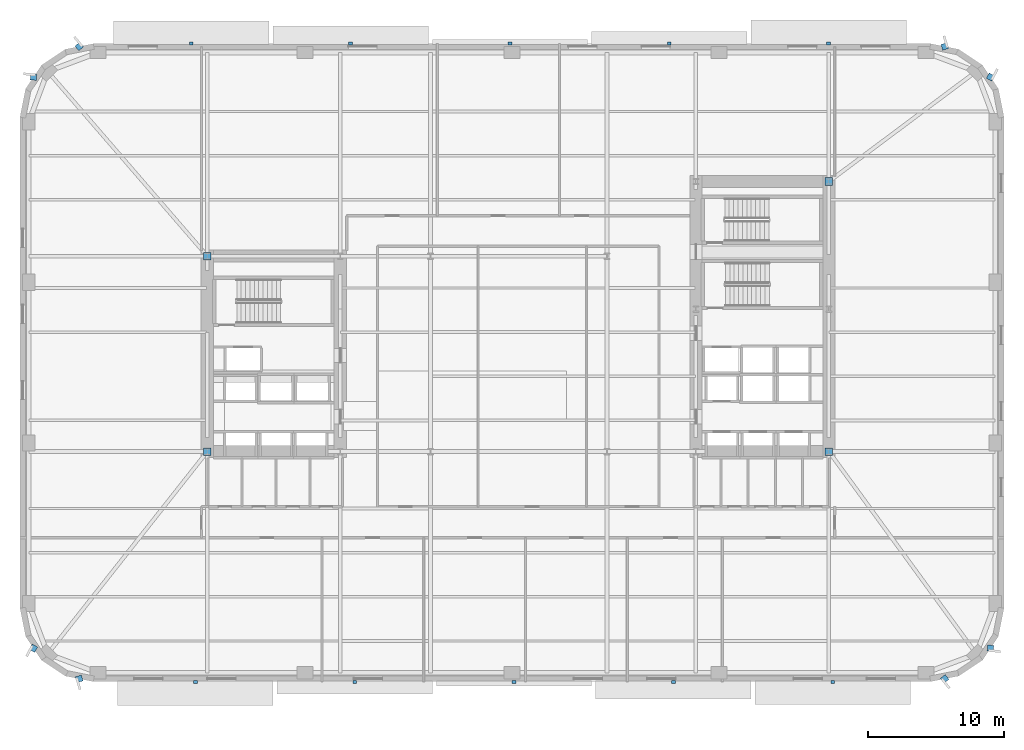
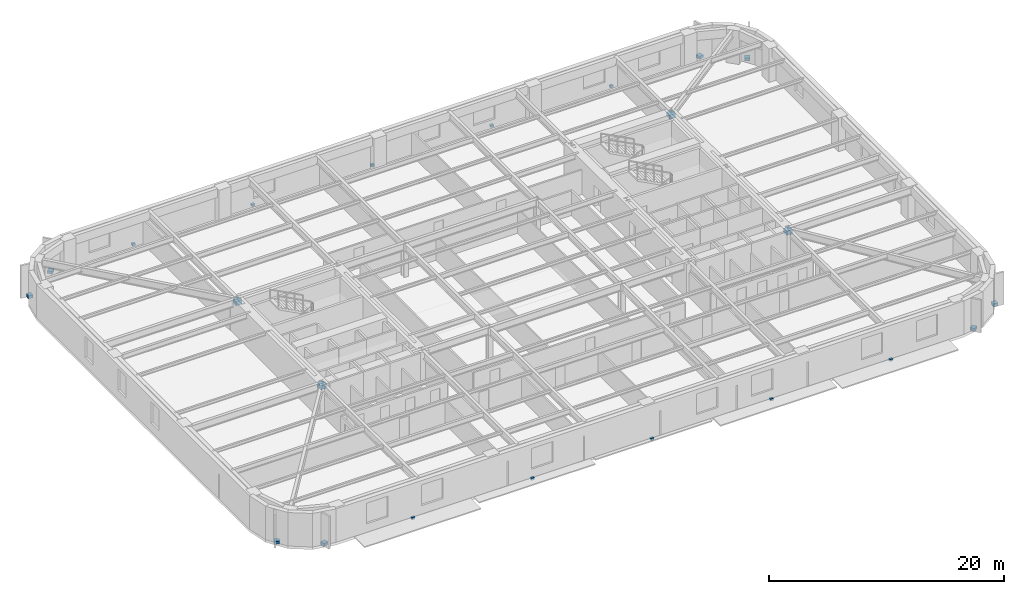
# One storey, part 8 of 15: 22 discrete accessories.
"""IFC4 building model written with IfcOpenShell, lengths in metres."""

from ifc_helpers import new_model, si_unit, direction, frame, origin, origin_2d, place, context, subcontext, project, spatial, rectangle, extrude, material, type_object, element, save


model = new_model("IFC4")

# Units and contexts
model_context = context("Model", 3, precision=1e-05, world=origin(), true_north=direction((0.0, 1.0)))
body_context = subcontext(model_context, "Body", "Model", "MODEL_VIEW")
ifc_project = project(units=[si_unit("LENGTHUNIT", "METRE"), si_unit("AREAUNIT", "SQUARE_METRE"), si_unit("VOLUMEUNIT", "CUBIC_METRE"), si_unit("PLANEANGLEUNIT", "RADIAN"), si_unit("MASSUNIT", "GRAM", prefix="KILO")], contexts=[model_context])

# Site, building, storey
site_placement = place(None, origin())
site = spatial("IfcSite", under=ifc_project, at=site_placement, CompositionType="ELEMENT")
building_placement = place(site_placement, origin())
building = spatial("IfcBuilding", under=site, at=building_placement, Name="Kolvaren Arena Tower", CompositionType="ELEMENT")
storey_placement = place(building_placement, frame((0.0, 0.0, 72.0)))
storey = spatial("IfcBuildingStorey", under=building, at=storey_placement, Name="L15", CompositionType="ELEMENT", Elevation=72.0)

# Discrete accessories
ifc_material_1 = material(Name="Stainless steel facade support bracket", Category="steel")
discrete_accessory_type_1 = type_object("IfcDiscreteAccessoryType", Name="ACC-BRKT-1", PredefinedType="BRACKET", material=ifc_material_1)
for number, where, z_axis, x_axis, name in (
    (1, (68.88330078125, 2.70556640625, 0.02001953125), (0.0, 0.0, 1.0), (0.632722898811, -0.774378288254, 0.0), "Corner Fin Anchor Bracket (L15)"),
    (2, (72.253662109375, 4.95751953125, 0.02001953125), (0.0, 0.0, 1.0), (0.994971840066, -0.100155067151, 0.0), "Corner Fin Anchor Bracket (L15)"),
    (3, (72.253662109375, 47.04248046875, 0.02001953125), (0.0, 0.0, 1.0), (0.473348878368, 0.880875041846, 0.0), "Corner Fin Anchor Bracket (L15)"),
    (4, (68.88330078125, 49.29443359375, 0.02001953125), (0.0, 0.0, 1.0), (-0.288174541455, 0.957577899524, 0.0), "Corner Fin Anchor Bracket (L15)"),
):
    element("IfcDiscreteAccessory", number, at=place(storey_placement, frame(where, z_axis=z_axis, x_axis=x_axis)), inside=storey, type_object=discrete_accessory_type_1, Name=name, PredefinedType="BRACKET", context=body_context, shape_type="SweptSolid", body=[
        extrude(rectangle(XDim=0.449951171875, YDim=0.449951171875, at=origin_2d()), origin(), (0.0, 0.0, 1.0), 0.300048828125),
    ])
for number, where, z_axis, x_axis, name in (
    (5, (13.3701171875, 49.52001953125, -0.18017578125), (0.0, 0.0, 1.0), (1.0, 0.0, 0.0), "Sunshade Support Bracket (L15)"),
    (6, (25.110107421875, 49.52001953125, -0.18017578125), (0.0, 0.0, 1.0), (1.0, 0.0, 0.0), "Sunshade Support Bracket (L15)"),
    (7, (36.85009765625, 49.52001953125, -0.18017578125), (0.0, 0.0, 1.0), (1.0, 0.0, 0.0), "Sunshade Support Bracket (L15)"),
    (8, (48.590087890625, 49.52001953125, -0.18017578125), (0.0, 0.0, 1.0), (1.0, 0.0, 0.0), "Sunshade Support Bracket (L15)"),
    (9, (60.330078125, 49.52001953125, -0.18017578125), (0.0, 0.0, 1.0), (1.0, 0.0, 0.0), "Sunshade Support Bracket (L15)"),
):
    element("IfcDiscreteAccessory", number, at=place(storey_placement, frame(where, z_axis=z_axis, x_axis=x_axis)), inside=storey, type_object=discrete_accessory_type_1, Name=name, PredefinedType="BRACKET", context=body_context, shape_type="SweptSolid", body=[
        extrude(rectangle(XDim=0.280029296875, YDim=0.239990234375, at=origin_2d()), origin(), (0.0, 0.0, 1.0), 0.239990234375),
    ])
for number, where, z_axis, x_axis, name in (
    (10, (5.11669921875, 49.29443359375, 0.02001953125), (0.0, 0.0, 1.0), (-0.632722898811, 0.774378288254, 0.0), "Corner Fin Anchor Bracket (L15)"),
    (11, (1.746337890625, 47.04248046875, 0.02001953125), (0.0, 0.0, 1.0), (-0.994971840066, 0.100155067151, 0.0), "Corner Fin Anchor Bracket (L15)"),
    (12, (1.746337890625, 4.95751953125, 0.02001953125), (0.0, 0.0, 1.0), (-0.473348878368, -0.880875041846, 0.0), "Corner Fin Anchor Bracket (L15)"),
    (13, (5.11669921875, 2.70556640625, 0.02001953125), (0.0, 0.0, 1.0), (0.288174541455, -0.957577899524, 0.0), "Corner Fin Anchor Bracket (L15)"),
):
    element("IfcDiscreteAccessory", number, at=place(storey_placement, frame(where, z_axis=z_axis, x_axis=x_axis)), inside=storey, type_object=discrete_accessory_type_1, Name=name, PredefinedType="BRACKET", context=body_context, shape_type="SweptSolid", body=[
        extrude(rectangle(XDim=0.449951171875, YDim=0.449951171875, at=origin_2d()), origin(), (0.0, 0.0, 1.0), 0.300048828125),
    ])
for number, where, z_axis, x_axis, name in (
    (14, (60.6298828125, 2.47998046875, -0.18017578125), (0.0, 0.0, 1.0), (-1.0, 0.0, 0.0), "Sunshade Support Bracket (L15)"),
    (15, (48.889892578125, 2.47998046875, -0.18017578125), (0.0, 0.0, 1.0), (-1.0, 0.0, 0.0), "Sunshade Support Bracket (L15)"),
    (16, (37.14990234375, 2.47998046875, -0.18017578125), (0.0, 0.0, 1.0), (-1.0, 0.0, 0.0), "Sunshade Support Bracket (L15)"),
    (17, (25.409912109375, 2.47998046875, -0.18017578125), (0.0, 0.0, 1.0), (-1.0, 0.0, 0.0), "Sunshade Support Bracket (L15)"),
    (18, (13.669921875, 2.47998046875, -0.18017578125), (0.0, 0.0, 1.0), (-1.0, 0.0, 0.0), "Sunshade Support Bracket (L15)"),
):
    element("IfcDiscreteAccessory", number, at=place(storey_placement, frame(where, z_axis=z_axis, x_axis=x_axis)), inside=storey, type_object=discrete_accessory_type_1, Name=name, PredefinedType="BRACKET", context=body_context, shape_type="SweptSolid", body=[
        extrude(rectangle(XDim=0.280029296875, YDim=0.239990234375, at=origin_2d()), origin(), (0.0, 0.0, 1.0), 0.239990234375),
    ])
ifc_material_2 = material(Name="Steel CSA G40.21 350W bolted gusset connection", Category="steel")
discrete_accessory_type_2 = type_object("IfcDiscreteAccessoryType", Name="ACC-CONN-1", PredefinedType="BRACKET", material=ifc_material_2)
for number, where, z_axis, x_axis, name in (
    (19, (60.35009765625, 19.449951171875, 2.87353515625), (0.0, 0.0, 1.0), (1.0, 0.0, 0.0), "Core Wall Cast-In Embed Plate EP1 (L15)"),
    (20, (60.35009765625, 39.35009765625, 2.87353515625), (0.0, 0.0, 1.0), (1.0, 0.0, 0.0), "Core Wall Cast-In Embed Plate EP1 (L15)"),
    (21, (14.550048828125, 33.85009765625, 2.87353515625), (0.0, 0.0, 1.0), (1.0, 0.0, 0.0), "Core Wall Cast-In Embed Plate EP1 (L15)"),
    (22, (14.550048828125, 19.449951171875, 2.87353515625), (0.0, 0.0, 1.0), (1.0, 0.0, 0.0), "Core Wall Cast-In Embed Plate EP1 (L15)"),
):
    element("IfcDiscreteAccessory", number, at=place(storey_placement, frame(where, z_axis=z_axis, x_axis=x_axis)), inside=storey, type_object=discrete_accessory_type_2, Name=name, PredefinedType="BRACKET", context=body_context, shape_type="SweptSolid", body=[
        extrude(rectangle(XDim=0.56005859375, YDim=0.56005859375, at=origin_2d()), origin(), (0.0, 0.0, 1.0), 0.43994140625),
    ])

save(model, "model.ifc")
